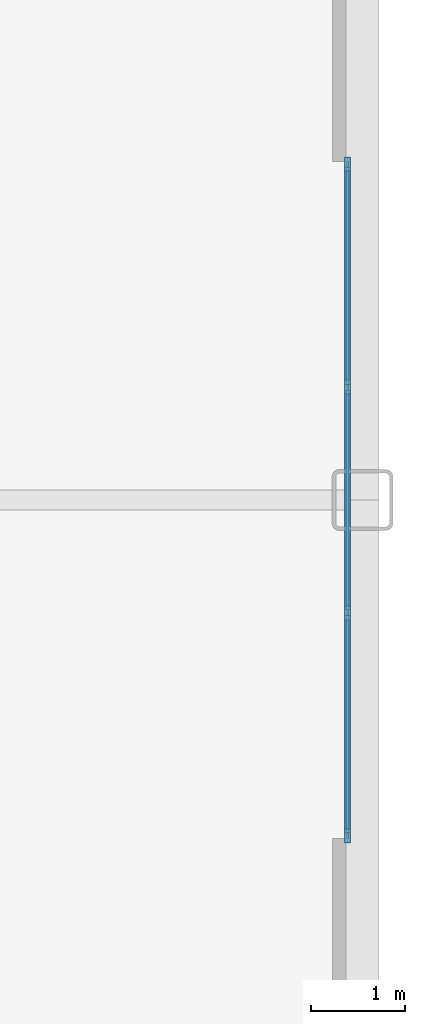
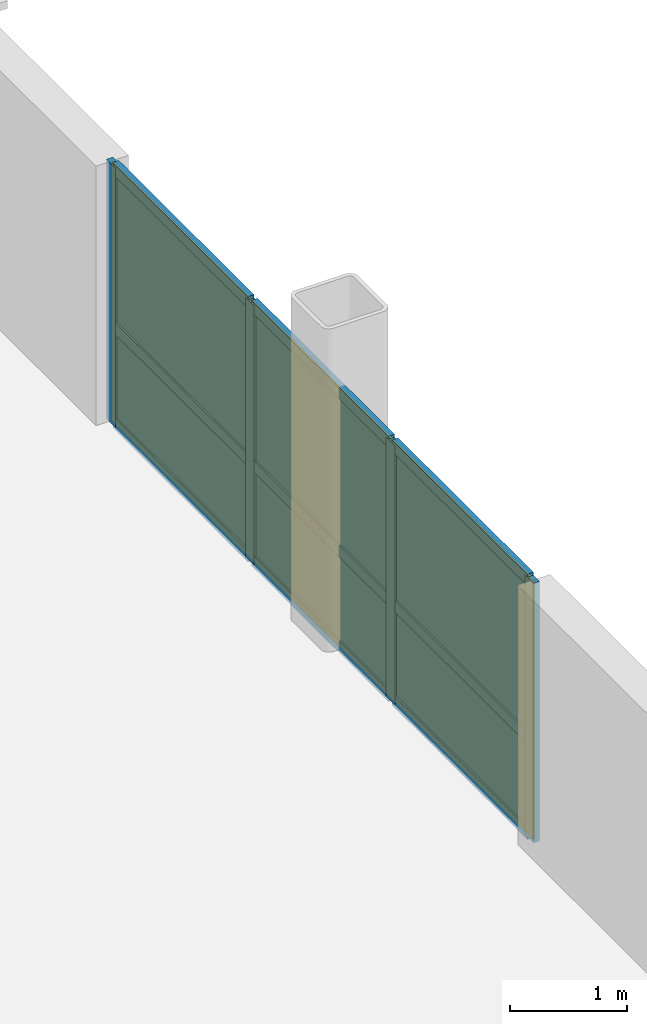
# One storey, part 11 of 15: 13 members, 6 plates, 1 curtain wall.
"""IFC4 building model written with IfcOpenShell, lengths in metres."""

import ifcopenshell
import ifcopenshell.guid

model = None  # the IFC model being written
_history = None  # IfcOwnerHistory: only IFC2X3 demands one
_inside = {}  # id of a spatial element -> (the spatial element, [elements in it])
_under = {}  # id of a project, library or spatial element -> (it, [spatial elements below it])
_declared = {}  # id of a project -> (the project, [libraries it declares])
_typed = {}  # id of a type object -> (the type object, [elements of that type])
_made_of = {}  # id of a material, layer set ... -> (it, [elements and type objects made of it])


def new_model(schema):
    """Start an empty IFC model of exactly this schema.

    Asked for "IFC4X3", IfcOpenShell would pick the latest addendum, in which some entities
    have other attributes; the version numbers below select the first issue.
    IFC2X3 requires an IfcOwnerHistory on every rooted entity: one is made here for all.
    """
    global model, _history
    if schema == "IFC4X3":
        model = ifcopenshell.file(schema_version=(4, 3, 0, 0))
    else:
        model = ifcopenshell.file(schema=schema)
    _inside.clear()
    _under.clear()
    _declared.clear()
    _typed.clear()
    _made_of.clear()
    _history = None
    if model.schema == "IFC2X3":
        org = make("IfcOrganization", Name="unknown")
        user = make(
            "IfcPersonAndOrganization",
            ThePerson=make("IfcPerson", FamilyName="unknown"),
            TheOrganization=org,
        )
        app = make(
            "IfcApplication",
            ApplicationDeveloper=org,
            Version="unknown",
            ApplicationFullName="unknown",
            ApplicationIdentifier="unknown",
        )
        _history = make(
            "IfcOwnerHistory",
            OwningUser=user,
            OwningApplication=app,
            ChangeAction="ADDED",
            CreationDate=0,
        )
    return model


def make(cls, **values):
    """One entity of the class cls with the attributes given. An attribute that is None is left unset."""
    return model.create_entity(
        cls, **{name: value for name, value in values.items() if value is not None}
    )


def rooted(cls, **values):
    """An entity with a GlobalId (a new one), such as an element, a storey or a relation."""
    return make(cls, GlobalId=ifcopenshell.guid.new(), OwnerHistory=_history, **values)


def si_unit(unit_type, name, prefix=None):
    """IfcSIUnit, for example si_unit("LENGTHUNIT", "METRE", prefix="MILLI")."""
    return make("IfcSIUnit", UnitType=unit_type, Prefix=prefix, Name=name)


def assignment(units):
    """IfcUnitAssignment: the units of a project."""
    return None if units is None else make("IfcUnitAssignment", Units=units)


def point(xyz):
    """IfcCartesianPoint."""
    return None if xyz is None else make("IfcCartesianPoint", Coordinates=xyz)


def direction(xyz):
    """IfcDirection."""
    return None if xyz is None else make("IfcDirection", DirectionRatios=xyz)


def frame(location, z_axis=None, x_axis=None):
    """IfcAxis2Placement3D, a coordinate frame: its origin and axes. An axis left out is left unset."""
    return make(
        "IfcAxis2Placement3D",
        Location=point(location),
        Axis=direction(z_axis),
        RefDirection=direction(x_axis),
    )


def frame_2d(location, x_axis=None):
    """IfcAxis2Placement2D, a coordinate frame in the plane: its origin and x axis."""
    return make(
        "IfcAxis2Placement2D", Location=point(location), RefDirection=direction(x_axis)
    )


def origin():
    """The frame at (0, 0, 0) with its axes left unset."""
    return frame((0.0, 0.0, 0.0))


def origin_2d():
    """The frame at (0, 0) in the plane with its x axis left unset."""
    return frame_2d((0.0, 0.0))


def place(relative_to, where):
    """IfcLocalPlacement: puts the frame where relative to a parent placement (None: the world)."""
    return make(
        "IfcLocalPlacement", PlacementRelTo=relative_to, RelativePlacement=where
    )


def context(
    kind, dimensions, precision=None, world=None, true_north=None, identifier=None
):
    """IfcGeometricRepresentationContext, for example the 3D "Model" context."""
    return make(
        "IfcGeometricRepresentationContext",
        ContextIdentifier=identifier,
        ContextType=kind,
        CoordinateSpaceDimension=dimensions,
        Precision=precision,
        WorldCoordinateSystem=world,
        TrueNorth=true_north,
    )


def subcontext(parent, identifier, kind, view, scale=None):
    """IfcGeometricRepresentationSubContext, for example "Body" below "Model"."""
    return make(
        "IfcGeometricRepresentationSubContext",
        ContextIdentifier=identifier,
        ContextType=kind,
        ParentContext=parent,
        TargetScale=scale,
        TargetView=view,
    )


def project(units=None, contexts=None):
    """IfcProject with its units and contexts."""
    return rooted(
        "IfcProject",
        Name="project",
        RepresentationContexts=contexts,
        UnitsInContext=assignment(units),
    )


def spatial(cls, under=None, at=None, **own):
    """A site, building, storey or space (cls), placed at a placement, below another one or the project."""
    s = rooted(cls, ObjectPlacement=at, **own)
    if under is not None:
        _under.setdefault(under.id(), (under, []))[1].append(s)
    return s


def profile(cls, at=None, kind="AREA", **sizes):
    """A parametric profile (cls). Its sizes go by their IFC names, for example OverallWidth=200.0."""
    return make(cls, ProfileType=kind, Position=at, **sizes)


def rectangle(**sizes):
    """IfcRectangleProfileDef."""
    return profile("IfcRectangleProfileDef", **sizes)


def extrude(swept, where, along, depth):
    """IfcExtrudedAreaSolid: the profile swept, set in the frame where, extruded along a direction by depth."""
    return make(
        "IfcExtrudedAreaSolid",
        SweptArea=swept,
        Position=where,
        ExtrudedDirection=direction(along),
        Depth=depth,
    )


def shape(context_of_items, identifier, shape_type, items):
    """IfcShapeRepresentation: the items that make up one representation, for example the "Body"."""
    return make(
        "IfcShapeRepresentation",
        ContextOfItems=context_of_items,
        RepresentationIdentifier=identifier,
        RepresentationType=shape_type,
        Items=items,
    )


def source(mapping_origin, context_of_items, identifier, shape_type, items):
    """IfcRepresentationMap: a shape defined once, which mapped items show again and again."""
    return make(
        "IfcRepresentationMap",
        MappingOrigin=mapping_origin,
        MappedRepresentation=shape(context_of_items, identifier, shape_type, items),
    )


def transform(
    local_origin,
    x_axis=None,
    y_axis=None,
    z_axis=None,
    scale=None,
    scale2=None,
    scale3=None,
    uniform=True,
):
    """IfcCartesianTransformationOperator3D, or its non-uniform kind. x_axis, y_axis, z_axis: its Axis1, 2, 3."""
    if uniform:
        return make(
            "IfcCartesianTransformationOperator3D",
            Axis1=direction(x_axis),
            Axis2=direction(y_axis),
            LocalOrigin=point(local_origin),
            Scale=scale,
            Axis3=direction(z_axis),
        )
    return make(
        "IfcCartesianTransformationOperator3DnonUniform",
        Axis1=direction(x_axis),
        Axis2=direction(y_axis),
        LocalOrigin=point(local_origin),
        Scale=scale,
        Axis3=direction(z_axis),
        Scale2=scale2,
        Scale3=scale3,
    )


def mapped(mapping_source, mapping_target):
    """IfcMappedItem: shows the shape of a source again, moved by a transform."""
    return make(
        "IfcMappedItem", MappingSource=mapping_source, MappingTarget=mapping_target
    )


def material(Name=None, Category=None):
    """IfcMaterial."""
    return make("IfcMaterial", Name=Name, Category=Category)


def layer(
    of_material, thickness, ventilated=None, Name=None, Category=None, Priority=None
):
    """IfcMaterialLayer: one layer of a wall or slab, of a material (None: an air gap)."""
    return make(
        "IfcMaterialLayer",
        Material=of_material,
        LayerThickness=thickness,
        IsVentilated=ventilated,
        Name=Name,
        Category=Category,
        Priority=Priority,
    )


def layer_set(layers, Name=None):
    """IfcMaterialLayerSet."""
    return make("IfcMaterialLayerSet", MaterialLayers=layers, LayerSetName=Name)


def material_profile(
    of_material, cross_section, Name=None, Category=None, Priority=None
):
    """IfcMaterialProfile: a cross section and its material."""
    return make(
        "IfcMaterialProfile",
        Name=Name,
        Material=of_material,
        Profile=cross_section,
        Priority=Priority,
        Category=Category,
    )


def profile_set(profiles, Name=None, composite=None):
    """IfcMaterialProfileSet."""
    return make(
        "IfcMaterialProfileSet",
        Name=Name,
        MaterialProfiles=profiles,
        CompositeProfile=composite,
    )


def made_of(thing, what):
    """Note that an element or type object is made of a material, layer set ...; save() writes the relation."""
    if what is not None:
        _made_of.setdefault(what.id(), (what, []))[1].append(thing)
    return thing


def type_object(cls, material=None, **own):
    """A type object (cls), such as IfcWallType, which elements share."""
    return made_of(rooted(cls, **own), material)


def type_shapes(of_type, sources):
    """Give a type object the sources (RepresentationMaps) that its elements show as mapped items."""
    of_type.RepresentationMaps = sources


def element(
    cls,
    number,
    at=None,
    inside=None,
    cuts=None,
    type_object=None,
    material=None,
    context=None,
    identifier="Body",
    shape_type=None,
    held_by="IfcProductDefinitionShape",
    body=None,
    shapes=None,
    **own,
):
    """One element of the class cls, such as IfcWall. Its Tag is "e" and its number.

    at: its placement. inside: the storey or other place that contains it. cuts: it is an
    opening in that element (IfcRelVoidsElement). A single representation is given by context,
    identifier, shape_type and body (its items); several are given by shapes. held_by: the class
    of the entity that holds the representations. save() writes the other relations.
    """
    e = rooted(cls, Tag="e%d" % number, ObjectPlacement=at, **own)
    if body is not None:
        shapes = [shape(context, identifier, shape_type, body)]
    if shapes is not None:
        e.Representation = make(held_by, Representations=shapes)
    if inside is not None:
        _inside.setdefault(inside.id(), (inside, []))[1].append(e)
    if cuts is not None:
        rooted(
            "IfcRelVoidsElement", RelatingBuildingElement=cuts, RelatedOpeningElement=e
        )
    if type_object is not None:
        _typed.setdefault(type_object.id(), (type_object, []))[1].append(e)
    return made_of(e, material)


def aggregate(whole, parts):
    """IfcRelAggregates: a whole, such as a stair, and the parts it consists of."""
    return rooted("IfcRelAggregates", RelatingObject=whole, RelatedObjects=parts)


def save(model, path):
    """Write the relations noted so far, then the file.

    IfcRelAggregates (storeys below a building ...), IfcRelContainedInSpatialStructure (elements
    in a storey), IfcRelDefinesByType, IfcRelAssociatesMaterial and IfcRelDeclares: one each for
    every whole, place, type object, material and project.
    """
    for whole, parts in _under.values():
        aggregate(whole, parts)
    for where, things in _inside.values():
        rooted(
            "IfcRelContainedInSpatialStructure",
            RelatedElements=things,
            RelatingStructure=where,
        )
    for kind, things in _typed.values():
        rooted("IfcRelDefinesByType", RelatedObjects=things, RelatingType=kind)
    for what, things in _made_of.values():
        rooted("IfcRelAssociatesMaterial", RelatedObjects=things, RelatingMaterial=what)
    for by, libraries in _declared.values():
        rooted("IfcRelDeclares", RelatingContext=by, RelatedDefinitions=libraries)
    model.write(path)


model = new_model("IFC4")

# Units and contexts
model_context = context("Model", 3, precision=1e-05, world=origin(), true_north=direction((0.0, 1.0)))
body_context = subcontext(model_context, "Body", "Model", "MODEL_VIEW")
ifc_project = project(units=[si_unit("LENGTHUNIT", "METRE"), si_unit("AREAUNIT", "SQUARE_METRE"), si_unit("VOLUMEUNIT", "CUBIC_METRE"), si_unit("PLANEANGLEUNIT", "RADIAN"), si_unit("MASSUNIT", "GRAM", prefix="KILO")], contexts=[model_context])

# Member
ifc_material_1 = material(Name="Anodised aluminium 6063-T6", Category="aluminium")
ifc_material_profile_1 = material_profile(ifc_material_1, rectangle(XDim=0.06005859375, YDim=0.14990234375, at=origin_2d()), Name="ALU-MULL-60x150")
ifc_profile_set_1 = profile_set([ifc_material_profile_1], Name="Anodised aluminium 6063-T6")
member_type_1 = type_object("IfcMemberType", Name="CWM-3", PredefinedType="MULLION", material=ifc_profile_set_1)
site_placement = place(None, origin())
building_placement = place(site_placement, origin())
storey_placement = place(building_placement, frame((0.0, 0.0, 123.85009765625)))
member_1_placement = place(storey_placement, frame((26.239990234375, -3.570068359375, 0.0), z_axis=(0.0, 0.0, 1.0), x_axis=(-1.0, 0.0, 0.0)))
member_1 = element("IfcMember", 1, at=member_1_placement, type_object=member_type_1, Name="CWS-3 mullion 1", PredefinedType="MULLION", context=body_context, shape_type="SweptSolid", body=[
    extrude(rectangle(XDim=0.06005859375, YDim=0.14990234375, at=origin_2d()), origin(), (0.0, 0.0, 1.0), 2.704833984375),
])

member_2_placement = place(storey_placement, frame((26.239990234375, -1.199951171875, 0.0), z_axis=(0.0, 0.0, 1.0), x_axis=(-1.0, 0.0, 0.0)))
member_2 = element("IfcMember", 2, at=member_2_placement, type_object=member_type_1, Name="CWS-3 mullion 2", PredefinedType="MULLION", context=body_context, shape_type="SweptSolid", body=[
    extrude(rectangle(XDim=0.06005859375, YDim=0.14990234375, at=origin_2d()), origin(), (0.0, 0.0, 1.0), 2.704833984375),
])

member_3_placement = place(storey_placement, frame((26.239990234375, 1.199951171875, 0.0), z_axis=(0.0, 0.0, 1.0), x_axis=(-1.0, 0.0, 0.0)))
member_3 = element("IfcMember", 3, at=member_3_placement, type_object=member_type_1, Name="CWS-3 mullion 3", PredefinedType="MULLION", context=body_context, shape_type="SweptSolid", body=[
    extrude(rectangle(XDim=0.06005859375, YDim=0.14990234375, at=origin_2d()), origin(), (0.0, 0.0, 1.0), 2.704833984375),
])

member_4_placement = place(storey_placement, frame((26.239990234375, 3.570068359375, 0.0), z_axis=(0.0, 0.0, 1.0), x_axis=(-1.0, 0.0, 0.0)))
member_4 = element("IfcMember", 4, at=member_4_placement, type_object=member_type_1, Name="CWS-3 mullion 4", PredefinedType="MULLION", context=body_context, shape_type="SweptSolid", body=[
    extrude(rectangle(XDim=0.06005859375, YDim=0.14990234375, at=origin_2d()), origin(), (0.0, 0.0, 1.0), 2.704833984375),
])

ifc_material_profile_2 = material_profile(ifc_material_1, rectangle(XDim=0.06005859375, YDim=0.1201171875, at=origin_2d()), Name="ALU-TRAN-60x120")
ifc_profile_set_2 = profile_set([ifc_material_profile_2], Name="Anodised aluminium 6063-T6")
member_type_2 = type_object("IfcMemberType", Name="CWT-3", PredefinedType="USERDEFINED", material=ifc_profile_set_2)
member_5_placement = place(storey_placement, frame((26.239990234375, -3.5400390625, 0.02978515625), z_axis=(0.0, 1.0, 0.0), x_axis=(-1.0, 0.0, 0.0)))
member_5 = element("IfcMember", 5, at=member_5_placement, type_object=member_type_2, Name="CWS-3 transom 1.1", ObjectType="TRANSOM", PredefinedType="USERDEFINED", context=body_context, shape_type="SweptSolid", body=[
    extrude(rectangle(XDim=0.06005859375, YDim=0.1201171875, at=origin_2d()), origin(), (0.0, 0.0, 1.0), 2.31005859375),
])

member_6_placement = place(storey_placement, frame((26.239990234375, -3.5400390625, 1.02783203125), z_axis=(0.0, 1.0, 0.0), x_axis=(-1.0, 0.0, 0.0)))
member_6 = element("IfcMember", 6, at=member_6_placement, type_object=member_type_2, Name="CWS-3 transom 1.2", ObjectType="TRANSOM", PredefinedType="USERDEFINED", context=body_context, shape_type="SweptSolid", body=[
    extrude(rectangle(XDim=0.06005859375, YDim=0.1201171875, at=origin_2d()), origin(), (0.0, 0.0, 1.0), 2.31005859375),
])

member_7_placement = place(storey_placement, frame((26.239990234375, -3.5400390625, 2.6748046875), z_axis=(0.0, 1.0, 0.0), x_axis=(-1.0, 0.0, 0.0)))
member_7 = element("IfcMember", 7, at=member_7_placement, type_object=member_type_2, Name="CWS-3 transom 1.3", ObjectType="TRANSOM", PredefinedType="USERDEFINED", context=body_context, shape_type="SweptSolid", body=[
    extrude(rectangle(XDim=0.06005859375, YDim=0.1201171875, at=origin_2d()), origin(), (0.0, 0.0, 1.0), 2.31005859375),
])

member_8_placement = place(storey_placement, frame((26.239990234375, -1.169921875, 0.02978515625), z_axis=(0.0, 1.0, 0.0), x_axis=(-1.0, 0.0, 0.0)))
member_8 = element("IfcMember", 8, at=member_8_placement, type_object=member_type_2, Name="CWS-3 transom 2.1", ObjectType="TRANSOM", PredefinedType="USERDEFINED", context=body_context, shape_type="SweptSolid", body=[
    extrude(rectangle(XDim=0.06005859375, YDim=0.1201171875, at=origin_2d()), origin(), (0.0, 0.0, 1.0), 2.33984375),
])

member_9_placement = place(storey_placement, frame((26.239990234375, -1.169921875, 1.02783203125), z_axis=(0.0, 1.0, 0.0), x_axis=(-1.0, 0.0, 0.0)))
member_9 = element("IfcMember", 9, at=member_9_placement, type_object=member_type_2, Name="CWS-3 transom 2.2", ObjectType="TRANSOM", PredefinedType="USERDEFINED", context=body_context, shape_type="SweptSolid", body=[
    extrude(rectangle(XDim=0.06005859375, YDim=0.1201171875, at=origin_2d()), origin(), (0.0, 0.0, 1.0), 2.33984375),
])

member_10_placement = place(storey_placement, frame((26.239990234375, -1.169921875, 2.6748046875), z_axis=(0.0, 1.0, 0.0), x_axis=(-1.0, 0.0, 0.0)))
member_10 = element("IfcMember", 10, at=member_10_placement, type_object=member_type_2, Name="CWS-3 transom 2.3", ObjectType="TRANSOM", PredefinedType="USERDEFINED", context=body_context, shape_type="SweptSolid", body=[
    extrude(rectangle(XDim=0.06005859375, YDim=0.1201171875, at=origin_2d()), origin(), (0.0, 0.0, 1.0), 2.33984375),
])

member_11_placement = place(storey_placement, frame((26.239990234375, 1.22998046875, 0.02978515625), z_axis=(0.0, 1.0, 0.0), x_axis=(-1.0, 0.0, 0.0)))
member_11 = element("IfcMember", 11, at=member_11_placement, type_object=member_type_2, Name="CWS-3 transom 3.1", ObjectType="TRANSOM", PredefinedType="USERDEFINED", context=body_context, shape_type="SweptSolid", body=[
    extrude(rectangle(XDim=0.06005859375, YDim=0.1201171875, at=origin_2d()), origin(), (0.0, 0.0, 1.0), 2.31005859375),
])

member_12_placement = place(storey_placement, frame((26.239990234375, 1.22998046875, 1.02783203125), z_axis=(0.0, 1.0, 0.0), x_axis=(-1.0, 0.0, 0.0)))
member_12 = element("IfcMember", 12, at=member_12_placement, type_object=member_type_2, Name="CWS-3 transom 3.2", ObjectType="TRANSOM", PredefinedType="USERDEFINED", context=body_context, shape_type="SweptSolid", body=[
    extrude(rectangle(XDim=0.06005859375, YDim=0.1201171875, at=origin_2d()), origin(), (0.0, 0.0, 1.0), 2.31005859375),
])

member_13_placement = place(storey_placement, frame((26.239990234375, 1.22998046875, 2.6748046875), z_axis=(0.0, 1.0, 0.0), x_axis=(-1.0, 0.0, 0.0)))
member_13 = element("IfcMember", 13, at=member_13_placement, type_object=member_type_2, Name="CWS-3 transom 3.3", ObjectType="TRANSOM", PredefinedType="USERDEFINED", context=body_context, shape_type="SweptSolid", body=[
    extrude(rectangle(XDim=0.06005859375, YDim=0.1201171875, at=origin_2d()), origin(), (0.0, 0.0, 1.0), 2.31005859375),
])

# Plate
ifc_material_2 = material(Name="Insulated solar-control glass", Category="glass")
ifc_layer_1 = layer(ifc_material_2, 0.028076171875, Name="CWP-3")
ifc_layer_set_1 = layer_set([ifc_layer_1], Name="Insulated solar-control glass")
plate_type = type_object("IfcPlateType", Name="CWP-3", PredefinedType="CURTAIN_PANEL", material=ifc_layer_set_1)
shared_shape_1 = source(origin(), body_context, "Body", "SweptSolid", [
    extrude(rectangle(XDim=2.31005859375, YDim=0.028076171875, at=origin_2d()), origin(), (0.0, 0.0, 1.0), 0.93798828125),
])
plate_1_placement = place(storey_placement, frame((26.239990234375, -2.385009765625, 0.059814453125), z_axis=(0.0, 0.0, 1.0), x_axis=(0.0, 1.0, 0.0)))
plate_1 = element("IfcPlate", 14, at=plate_1_placement, type_object=plate_type, Name="CWS-3 panel 1.1", PredefinedType="CURTAIN_PANEL", context=body_context, shape_type="MappedRepresentation", body=[
    mapped(shared_shape_1, transform((0.0, 0.0, 0.0), scale=1.0)),
])

plate_2_placement = place(storey_placement, frame((26.239990234375, 2.385009765625, 0.059814453125), z_axis=(0.0, 0.0, 1.0), x_axis=(0.0, 1.0, 0.0)))
plate_2 = element("IfcPlate", 15, at=plate_2_placement, type_object=plate_type, Name="CWS-3 panel 3.1", PredefinedType="CURTAIN_PANEL", context=body_context, shape_type="MappedRepresentation", body=[
    mapped(shared_shape_1, transform((0.0, 0.0, 0.0), scale=1.0)),
])

shared_shape_2 = source(origin(), body_context, "Body", "SweptSolid", [
    extrude(rectangle(XDim=2.31005859375, YDim=0.028076171875, at=origin_2d()), origin(), (0.0, 0.0, 1.0), 1.587158203125),
])
plate_3_placement = place(storey_placement, frame((26.239990234375, -2.385009765625, 1.0576171875), z_axis=(0.0, 0.0, 1.0), x_axis=(0.0, 1.0, 0.0)))
plate_3 = element("IfcPlate", 16, at=plate_3_placement, type_object=plate_type, Name="CWS-3 panel 1.2", PredefinedType="CURTAIN_PANEL", context=body_context, shape_type="MappedRepresentation", body=[
    mapped(shared_shape_2, transform((0.0, 0.0, 0.0), scale=1.0)),
])

plate_4_placement = place(storey_placement, frame((26.239990234375, 2.385009765625, 1.0576171875), z_axis=(0.0, 0.0, 1.0), x_axis=(0.0, 1.0, 0.0)))
plate_4 = element("IfcPlate", 17, at=plate_4_placement, type_object=plate_type, Name="CWS-3 panel 3.2", PredefinedType="CURTAIN_PANEL", context=body_context, shape_type="MappedRepresentation", body=[
    mapped(shared_shape_2, transform((0.0, 0.0, 0.0), scale=1.0)),
])

shared_shape_3 = source(origin(), body_context, "Body", "SweptSolid", [
    extrude(rectangle(XDim=2.340087890625, YDim=0.028076171875, at=origin_2d()), origin(), (0.0, 0.0, 1.0), 0.93798828125),
])
plate_5_placement = place(storey_placement, frame((26.239990234375, 0.0, 0.059814453125), z_axis=(0.0, 0.0, 1.0), x_axis=(0.0, 1.0, 0.0)))
plate_5 = element("IfcPlate", 18, at=plate_5_placement, type_object=plate_type, Name="CWS-3 panel 2.1", PredefinedType="CURTAIN_PANEL", context=body_context, shape_type="MappedRepresentation", body=[
    mapped(shared_shape_3, transform((0.0, 0.0, 0.0), scale=1.0)),
])

shared_shape_4 = source(origin(), body_context, "Body", "SweptSolid", [
    extrude(rectangle(XDim=2.340087890625, YDim=0.028076171875, at=origin_2d()), origin(), (0.0, 0.0, 1.0), 1.587158203125),
])
type_shapes(plate_type, [shared_shape_1, shared_shape_2, shared_shape_3, shared_shape_4])
plate_6_placement = place(storey_placement, frame((26.239990234375, 0.0, 1.0576171875), z_axis=(0.0, 0.0, 1.0), x_axis=(0.0, 1.0, 0.0)))
plate_6 = element("IfcPlate", 19, at=plate_6_placement, type_object=plate_type, Name="CWS-3 panel 2.2", PredefinedType="CURTAIN_PANEL", context=body_context, shape_type="MappedRepresentation", body=[
    mapped(shared_shape_4, transform((0.0, 0.0, 0.0), scale=1.0)),
])

# Site, building, storey
site = spatial("IfcSite", under=ifc_project, at=site_placement, CompositionType="ELEMENT")
building = spatial("IfcBuilding", under=site, at=building_placement, Name="Nuvemarco Arch Tower", CompositionType="ELEMENT")
storey = spatial("IfcBuildingStorey", under=building, at=storey_placement, Name="L32", CompositionType="ELEMENT", Elevation=123.85009765625)

# Curtain wall
ifc_layer_2 = layer(ifc_material_2, 0.14990234375, Name="CW-SYS-3")
ifc_layer_set_2 = layer_set([ifc_layer_2], Name="Insulated solar-control glass")
curtain_wall_type = type_object("IfcCurtainWallType", Name="CW-SYS-3", PredefinedType="NOTDEFINED", material=ifc_layer_set_2)
curtain_wall_placement = place(storey_placement, frame((26.239990234375, -3.60009765625, 0.0), z_axis=(0.0, 0.0, 1.0), x_axis=(0.0, 1.0, 0.0)))
curtain_wall = element("IfcCurtainWall", 20, at=curtain_wall_placement, inside=storey, type_object=curtain_wall_type, Name="L32 curtain wall CWS-3", PredefinedType="NOTDEFINED", context=body_context, shape_type="SweptSolid", body=[
    extrude(rectangle(XDim=7.2001953125, YDim=0.02001953125, at=frame_2d((3.60009765625, 0.0))), origin(), (0.0, 0.0, 1.0), 2.704833984375),
])

aggregate(curtain_wall, [member_1, member_2, member_3, member_4, member_5, member_6, member_7, plate_1, plate_3, member_8, member_9, member_10, plate_5, plate_6, member_11, member_12, member_13, plate_2, plate_4])

save(model, "model.ifc")
